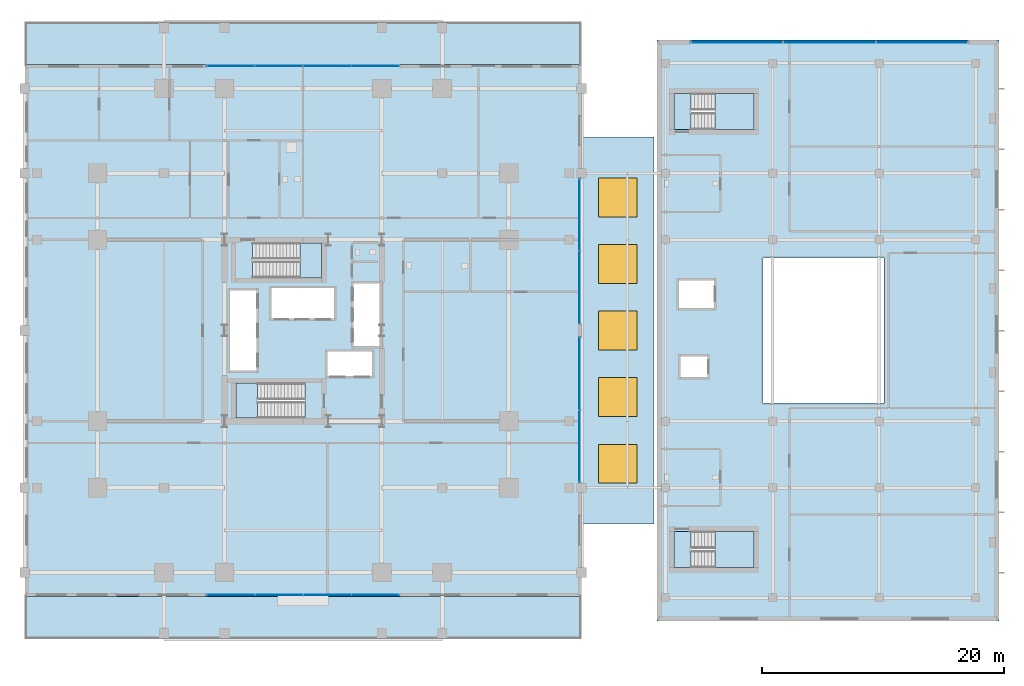
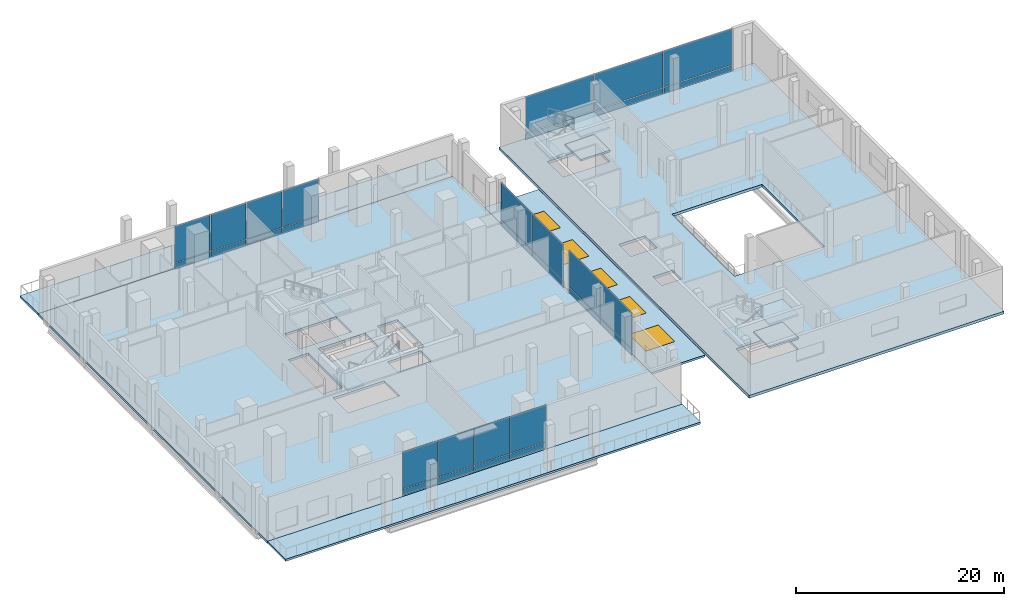
# One storey, part 24 of 36: 30 plates, 13 slabs, 5 windows, 5 openings, 9 elements without a shape of their own.
"""IFC4 building model written with IfcOpenShell, lengths in metres."""

from ifc_helpers import new_model, si_unit, direction, frame, origin, origin_2d, place, context, subcontext, project, spatial, polyline, rectangle, outline, extrude, material, layer, layer_set, type_object, element, fill, aggregate, save


model = new_model("IFC4")

# Units and contexts
model_context = context("Model", 3, precision=1e-05, world=origin(), true_north=direction((0.0, 1.0)))
body_context = subcontext(model_context, "Body", "Model", "MODEL_VIEW")
ifc_project = project(units=[si_unit("LENGTHUNIT", "METRE"), si_unit("AREAUNIT", "SQUARE_METRE"), si_unit("VOLUMEUNIT", "CUBIC_METRE"), si_unit("PLANEANGLEUNIT", "RADIAN"), si_unit("MASSUNIT", "GRAM", prefix="KILO")], contexts=[model_context])

# Site, building, storey
site_placement = place(None, origin())
site = spatial("IfcSite", under=ifc_project, at=site_placement, CompositionType="ELEMENT")
building_placement = place(site_placement, origin())
building = spatial("IfcBuilding", under=site, at=building_placement, Name="Barlavira Tower and Art Museum", CompositionType="ELEMENT")
storey_placement = place(building_placement, frame((0.0, 0.0, 11.39990234375)))
storey = spatial("IfcBuildingStorey", under=building, at=storey_placement, Name="L02", CompositionType="ELEMENT", Elevation=11.39990234375)

# Slabs
ifc_material_1 = material(Name="Concrete C50", Category="concrete")
ifc_layer_1 = layer(ifc_material_1, 0.239990234375, Name="Concrete C50")
ifc_layer_set_1 = layer_set([ifc_layer_1], Name="Concrete C50")
slab_type_1 = type_object("IfcSlabType", Name="Cascading Garden and Lookout Terrace Slab 240 Concrete C50", PredefinedType="FLOOR", material=ifc_layer_set_1)
slab_1_placement = place(storey_placement, frame((0.0, 0.0, -0.239990234375)))
element("IfcSlab", 1, at=slab_1_placement, inside=storey, type_object=slab_type_1, Name="L02 South Cascading Garden Terrace Slab", PredefinedType="FLOOR", context=body_context, shape_type="SweptSolid", body=[
    extrude(outline(polyline([(-23.0, -25.5), (23.0, -25.5), (23.0, -22.0), (-23.0, -22.0), (-23.0, -25.5)])), origin(), (0.0, 0.0, 1.0), 0.239990234375),
])
slab_2_placement = place(storey_placement, frame((0.0, 0.0, -0.239990234375)))
element("IfcSlab", 2, at=slab_2_placement, inside=storey, type_object=slab_type_1, Name="L02 North Cascading Garden Terrace Slab", PredefinedType="FLOOR", context=body_context, shape_type="SweptSolid", body=[
    extrude(outline(polyline([(-23.0, 22.0), (23.0, 22.0), (23.0, 25.5), (-23.0, 25.5), (-23.0, 22.0)])), origin(), (0.0, 0.0, 1.0), 0.239990234375),
])

# Slab, openings, windows
ifc_material_2 = material(Name="Concrete C40", Category="concrete")
ifc_layer_2 = layer(ifc_material_2, 0.22998046875, Name="Concrete C40")
ifc_layer_set_2 = layer_set([ifc_layer_2], Name="Concrete C40")
slab_type_2 = type_object("IfcSlabType", Name="Covered Arcade Skylight Roof Slab 230 Concrete C40", PredefinedType="ROOF", material=ifc_layer_set_2)
slab_3_placement = place(storey_placement, frame((0.0, 0.0, -0.22998046875)))
slab_3 = element("IfcSlab", 3, at=slab_3_placement, inside=storey, type_object=slab_type_2, Name="L02 Covered Arcade Roof Slab", PredefinedType="ROOF", context=body_context, shape_type="SweptSolid", body=[
    extrude(outline(polyline([(23.0, -16.0), (29.0, -16.0), (29.0, 16.0), (23.0, 16.0), (23.0, -16.0)])), origin(), (0.0, 0.0, 1.0), 0.22998046875),
])
opening_1_placement = place(slab_3_placement, frame((26.0, -11.0, -0.010009765625)))
opening_1 = element("IfcOpeningElement", 4, at=opening_1_placement, cuts=slab_3, Name="Opening SKY-1", PredefinedType="OPENING", context=body_context, shape_type="SweptSolid", body=[
    extrude(rectangle(XDim=3.199951171875, YDim=3.199951171875, at=origin_2d()), origin(), (0.0, 0.0, 1.0), 0.25),
])
opening_2_placement = place(slab_3_placement, frame((26.0, -5.5, -0.010009765625)))
opening_2 = element("IfcOpeningElement", 5, at=opening_2_placement, cuts=slab_3, Name="Opening SKY-1", PredefinedType="OPENING", context=body_context, shape_type="SweptSolid", body=[
    extrude(rectangle(XDim=3.199951171875, YDim=3.199951171875, at=origin_2d()), origin(), (0.0, 0.0, 1.0), 0.25),
])
opening_3_placement = place(slab_3_placement, frame((26.0, 0.0, -0.010009765625)))
opening_3 = element("IfcOpeningElement", 6, at=opening_3_placement, cuts=slab_3, Name="Opening SKY-1", PredefinedType="OPENING", context=body_context, shape_type="SweptSolid", body=[
    extrude(rectangle(XDim=3.199951171875, YDim=3.199951171875, at=origin_2d()), origin(), (0.0, 0.0, 1.0), 0.25),
])
opening_4_placement = place(slab_3_placement, frame((26.0, 5.5, -0.010009765625)))
opening_4 = element("IfcOpeningElement", 7, at=opening_4_placement, cuts=slab_3, Name="Opening SKY-1", PredefinedType="OPENING", context=body_context, shape_type="SweptSolid", body=[
    extrude(rectangle(XDim=3.199951171875, YDim=3.199951171875, at=origin_2d()), origin(), (0.0, 0.0, 1.0), 0.25),
])
opening_5_placement = place(slab_3_placement, frame((26.0, 11.0, -0.010009765625)))
opening_5 = element("IfcOpeningElement", 8, at=opening_5_placement, cuts=slab_3, Name="Opening SKY-1", PredefinedType="OPENING", context=body_context, shape_type="SweptSolid", body=[
    extrude(rectangle(XDim=3.199951171875, YDim=3.199951171875, at=origin_2d()), origin(), (0.0, 0.0, 1.0), 0.25),
])
ifc_material_3 = material(Name="Low-iron coastal laminated glass", Category="glass")
window_type = type_object("IfcWindowType", Name="Covered Arcade Laminated Roof Skylight 3200x3200", PartitioningType="SINGLE_PANEL", PredefinedType="SKYLIGHT", material=ifc_material_3)
window_1_placement = place(opening_1_placement, frame((0.0, 0.0, 0.18994140625)))
window_1 = element("IfcWindow", 9, at=window_1_placement, inside=storey, type_object=window_type, Name="Covered Arcade Laminated Skylight 1", OverallHeight=3.199951171875, OverallWidth=3.199951171875, PartitioningType="SINGLE_PANEL", PredefinedType="SKYLIGHT", context=body_context, shape_type="SweptSolid", body=[
    extrude(rectangle(XDim=3.199951171875, YDim=3.199951171875, at=origin_2d()), origin(), (0.0, 0.0, 1.0), 0.050048828125),
])
fill(opening_1, window_1)
window_2_placement = place(opening_2_placement, frame((0.0, 0.0, 0.18994140625)))
window_2 = element("IfcWindow", 10, at=window_2_placement, inside=storey, type_object=window_type, Name="Covered Arcade Laminated Skylight 2", OverallHeight=3.199951171875, OverallWidth=3.199951171875, PartitioningType="SINGLE_PANEL", PredefinedType="SKYLIGHT", context=body_context, shape_type="SweptSolid", body=[
    extrude(rectangle(XDim=3.199951171875, YDim=3.199951171875, at=origin_2d()), origin(), (0.0, 0.0, 1.0), 0.050048828125),
])
fill(opening_2, window_2)
window_3_placement = place(opening_3_placement, frame((0.0, 0.0, 0.18994140625)))
window_3 = element("IfcWindow", 11, at=window_3_placement, inside=storey, type_object=window_type, Name="Covered Arcade Laminated Skylight 3", OverallHeight=3.199951171875, OverallWidth=3.199951171875, PartitioningType="SINGLE_PANEL", PredefinedType="SKYLIGHT", context=body_context, shape_type="SweptSolid", body=[
    extrude(rectangle(XDim=3.199951171875, YDim=3.199951171875, at=origin_2d()), origin(), (0.0, 0.0, 1.0), 0.050048828125),
])
fill(opening_3, window_3)
window_4_placement = place(opening_4_placement, frame((0.0, 0.0, 0.18994140625)))
window_4 = element("IfcWindow", 12, at=window_4_placement, inside=storey, type_object=window_type, Name="Covered Arcade Laminated Skylight 4", OverallHeight=3.199951171875, OverallWidth=3.199951171875, PartitioningType="SINGLE_PANEL", PredefinedType="SKYLIGHT", context=body_context, shape_type="SweptSolid", body=[
    extrude(rectangle(XDim=3.199951171875, YDim=3.199951171875, at=origin_2d()), origin(), (0.0, 0.0, 1.0), 0.050048828125),
])
fill(opening_4, window_4)
window_5_placement = place(opening_5_placement, frame((0.0, 0.0, 0.18994140625)))
window_5 = element("IfcWindow", 13, at=window_5_placement, inside=storey, type_object=window_type, Name="Covered Arcade Laminated Skylight 5", OverallHeight=3.199951171875, OverallWidth=3.199951171875, PartitioningType="SINGLE_PANEL", PredefinedType="SKYLIGHT", context=body_context, shape_type="SweptSolid", body=[
    extrude(rectangle(XDim=3.199951171875, YDim=3.199951171875, at=origin_2d()), origin(), (0.0, 0.0, 1.0), 0.050048828125),
])
fill(opening_5, window_5)

# Curtain wall, plates
ifc_layer_3 = layer(ifc_material_3, 0.219970703125, Name="Low-iron coastal laminated glass")
ifc_layer_set_3 = layer_set([ifc_layer_3], Name="Low-iron coastal laminated glass")
curtain_wall_type_1 = type_object("IfcCurtainWallType", Name="Double-Height Podium Arcade Storefront Curtain Wall", PredefinedType="NOTDEFINED", material=ifc_layer_set_3)
curtain_wall_1_placement = place(storey_placement, origin())
curtain_wall_1 = element("IfcCurtainWall", 14, at=curtain_wall_1_placement, inside=storey, type_object=curtain_wall_type_1, Name="L02 Curtain Wall CW5-L02-ES", PredefinedType="NOTDEFINED")
ifc_material_4 = material(Name="Pale anodised aluminium", Category="aluminium")
ifc_layer_4 = layer(ifc_material_4, 0.044921875, Name="Pale anodised aluminium")
ifc_layer_set_4 = layer_set([ifc_layer_4], Name="Pale anodised aluminium")
plate_type_1 = type_object("IfcPlateType", Name="Curtain Wall Pale-Metal Spandrel Panel 45", PredefinedType="CURTAIN_PANEL", material=ifc_layer_set_4)
plate_1_placement = place(storey_placement, frame((22.85009765625, -9.56005859375, 0.0400390625), z_axis=(0.0, 0.0, 1.0), x_axis=(0.0, 1.0, 0.0)))
plate_1 = element("IfcPlate", 15, at=plate_1_placement, type_object=plate_type_1, Name="CW5-L02-ES Spandrel Panel 0", PredefinedType="CURTAIN_PANEL", context=body_context, shape_type="SweptSolid", body=[
    extrude(rectangle(XDim=5.93994140625, YDim=0.044921875, at=origin_2d()), origin(), (0.0, 0.0, 1.0), 0.669921875),
])
plate_2_placement = place(storey_placement, frame((22.85009765625, -3.52001953125, 0.0400390625), z_axis=(0.0, 0.0, 1.0), x_axis=(0.0, 1.0, 0.0)))
plate_2 = element("IfcPlate", 16, at=plate_2_placement, type_object=plate_type_1, Name="CW5-L02-ES Spandrel Panel 1", PredefinedType="CURTAIN_PANEL", context=body_context, shape_type="SweptSolid", body=[
    extrude(rectangle(XDim=5.93994140625, YDim=0.044921875, at=origin_2d()), origin(), (0.0, 0.0, 1.0), 0.669921875),
])

curtain_wall_2_placement = place(storey_placement, origin())
curtain_wall_2 = element("IfcCurtainWall", 17, at=curtain_wall_2_placement, inside=storey, type_object=curtain_wall_type_1, Name="L02 Curtain Wall CW5-L02-EN", PredefinedType="NOTDEFINED")
plate_3_placement = place(storey_placement, frame((22.85009765625, 3.52001953125, 0.0400390625), z_axis=(0.0, 0.0, 1.0), x_axis=(0.0, 1.0, 0.0)))
plate_3 = element("IfcPlate", 18, at=plate_3_placement, type_object=plate_type_1, Name="CW5-L02-EN Spandrel Panel 0", PredefinedType="CURTAIN_PANEL", context=body_context, shape_type="SweptSolid", body=[
    extrude(rectangle(XDim=5.93994140625, YDim=0.044921875, at=origin_2d()), origin(), (0.0, 0.0, 1.0), 0.669921875),
])
plate_4_placement = place(storey_placement, frame((22.85009765625, 9.56005859375, 0.0400390625), z_axis=(0.0, 0.0, 1.0), x_axis=(0.0, 1.0, 0.0)))
plate_4 = element("IfcPlate", 19, at=plate_4_placement, type_object=plate_type_1, Name="CW5-L02-EN Spandrel Panel 1", PredefinedType="CURTAIN_PANEL", context=body_context, shape_type="SweptSolid", body=[
    extrude(rectangle(XDim=5.93994140625, YDim=0.044921875, at=origin_2d()), origin(), (0.0, 0.0, 1.0), 0.669921875),
])

ifc_layer_5 = layer(ifc_material_3, 0.179931640625, Name="Low-iron coastal laminated glass")
ifc_layer_set_5 = layer_set([ifc_layer_5], Name="Low-iron coastal laminated glass")
curtain_wall_type_2 = type_object("IfcCurtainWallType", Name="Pale-Metal Unitised Curtain Wall Zone 1", PredefinedType="NOTDEFINED", material=ifc_layer_set_5)
curtain_wall_3_placement = place(storey_placement, origin())
curtain_wall_3 = element("IfcCurtainWall", 20, at=curtain_wall_3_placement, inside=storey, type_object=curtain_wall_type_2, Name="L02 Curtain Wall CW1-L02-S", PredefinedType="NOTDEFINED")
plate_5_placement = place(storey_placement, frame((-6.0, -21.85009765625, 0.0400390625), z_axis=(0.0, 0.0, 1.0), x_axis=(1.0, 0.0, 0.0)))
plate_5 = element("IfcPlate", 21, at=plate_5_placement, type_object=plate_type_1, Name="CW1-L02-S Spandrel Panel 0", PredefinedType="CURTAIN_PANEL", context=body_context, shape_type="SweptSolid", body=[
    extrude(rectangle(XDim=3.89990234375, YDim=0.044921875, at=origin_2d()), origin(), (0.0, 0.0, 1.0), 0.669921875),
])
plate_6_placement = place(storey_placement, frame((-2.0, -21.85009765625, 0.0400390625), z_axis=(0.0, 0.0, 1.0), x_axis=(1.0, 0.0, 0.0)))
plate_6 = element("IfcPlate", 22, at=plate_6_placement, type_object=plate_type_1, Name="CW1-L02-S Spandrel Panel 1", PredefinedType="CURTAIN_PANEL", context=body_context, shape_type="SweptSolid", body=[
    extrude(rectangle(XDim=3.89990234375, YDim=0.044921875, at=origin_2d()), origin(), (0.0, 0.0, 1.0), 0.669921875),
])
plate_7_placement = place(storey_placement, frame((2.0, -21.85009765625, 0.0400390625), z_axis=(0.0, 0.0, 1.0), x_axis=(1.0, 0.0, 0.0)))
plate_7 = element("IfcPlate", 23, at=plate_7_placement, type_object=plate_type_1, Name="CW1-L02-S Spandrel Panel 2", PredefinedType="CURTAIN_PANEL", context=body_context, shape_type="SweptSolid", body=[
    extrude(rectangle(XDim=3.89990234375, YDim=0.044921875, at=origin_2d()), origin(), (0.0, 0.0, 1.0), 0.669921875),
])
plate_8_placement = place(storey_placement, frame((6.0, -21.85009765625, 0.0400390625), z_axis=(0.0, 0.0, 1.0), x_axis=(1.0, 0.0, 0.0)))
plate_8 = element("IfcPlate", 24, at=plate_8_placement, type_object=plate_type_1, Name="CW1-L02-S Spandrel Panel 3", PredefinedType="CURTAIN_PANEL", context=body_context, shape_type="SweptSolid", body=[
    extrude(rectangle(XDim=3.89990234375, YDim=0.044921875, at=origin_2d()), origin(), (0.0, 0.0, 1.0), 0.669921875),
])

curtain_wall_4_placement = place(storey_placement, origin())
curtain_wall_4 = element("IfcCurtainWall", 25, at=curtain_wall_4_placement, inside=storey, type_object=curtain_wall_type_2, Name="L02 Curtain Wall CW1-L02-N", PredefinedType="NOTDEFINED")
plate_9_placement = place(storey_placement, frame((6.0, 21.85009765625, 0.0400390625), z_axis=(0.0, 0.0, 1.0), x_axis=(-1.0, 0.0, 0.0)))
plate_9 = element("IfcPlate", 26, at=plate_9_placement, type_object=plate_type_1, Name="CW1-L02-N Spandrel Panel 0", PredefinedType="CURTAIN_PANEL", context=body_context, shape_type="SweptSolid", body=[
    extrude(rectangle(XDim=3.89990234375, YDim=0.044921875, at=origin_2d()), origin(), (0.0, 0.0, 1.0), 0.669921875),
])
plate_10_placement = place(storey_placement, frame((2.0, 21.85009765625, 0.0400390625), z_axis=(0.0, 0.0, 1.0), x_axis=(-1.0, 0.0, 0.0)))
plate_10 = element("IfcPlate", 27, at=plate_10_placement, type_object=plate_type_1, Name="CW1-L02-N Spandrel Panel 1", PredefinedType="CURTAIN_PANEL", context=body_context, shape_type="SweptSolid", body=[
    extrude(rectangle(XDim=3.89990234375, YDim=0.044921875, at=origin_2d()), origin(), (0.0, 0.0, 1.0), 0.669921875),
])
plate_11_placement = place(storey_placement, frame((-2.0, 21.85009765625, 0.0400390625), z_axis=(0.0, 0.0, 1.0), x_axis=(-1.0, 0.0, 0.0)))
plate_11 = element("IfcPlate", 28, at=plate_11_placement, type_object=plate_type_1, Name="CW1-L02-N Spandrel Panel 2", PredefinedType="CURTAIN_PANEL", context=body_context, shape_type="SweptSolid", body=[
    extrude(rectangle(XDim=3.89990234375, YDim=0.044921875, at=origin_2d()), origin(), (0.0, 0.0, 1.0), 0.669921875),
])
plate_12_placement = place(storey_placement, frame((-6.0, 21.85009765625, 0.0400390625), z_axis=(0.0, 0.0, 1.0), x_axis=(-1.0, 0.0, 0.0)))
plate_12 = element("IfcPlate", 29, at=plate_12_placement, type_object=plate_type_1, Name="CW1-L02-N Spandrel Panel 3", PredefinedType="CURTAIN_PANEL", context=body_context, shape_type="SweptSolid", body=[
    extrude(rectangle(XDim=3.89990234375, YDim=0.044921875, at=origin_2d()), origin(), (0.0, 0.0, 1.0), 0.669921875),
])

ifc_layer_6 = layer(ifc_material_3, 0.199951171875, Name="Low-iron coastal laminated glass")
ifc_layer_set_6 = layer_set([ifc_layer_6], Name="Low-iron coastal laminated glass")
curtain_wall_type_3 = type_object("IfcCurtainWallType", Name="Coastal Art Museum North-Light Curtain Wall", PredefinedType="NOTDEFINED", material=ifc_layer_set_6)
curtain_wall_5_placement = place(storey_placement, origin())
curtain_wall_5 = element("IfcCurtainWall", 30, at=curtain_wall_5_placement, inside=storey, type_object=curtain_wall_type_3, Name="L02 Curtain Wall CW6-MUS-L02-N", PredefinedType="NOTDEFINED")
plate_13_placement = place(storey_placement, frame((51.166748046875, 23.824951171875, 0.0400390625), z_axis=(0.0, 0.0, 1.0), x_axis=(-1.0, 0.0, 0.0)))
plate_13 = element("IfcPlate", 31, at=plate_13_placement, type_object=plate_type_1, Name="CW6-MUS-L02-N Spandrel Panel 0", PredefinedType="CURTAIN_PANEL", context=body_context, shape_type="SweptSolid", body=[
    extrude(rectangle(XDim=7.566650390625, YDim=0.044921875, at=origin_2d()), origin(), (0.0, 0.0, 1.0), 0.669921875),
])
plate_14_placement = place(storey_placement, frame((43.5, 23.824951171875, 0.0400390625), z_axis=(0.0, 0.0, 1.0), x_axis=(-1.0, 0.0, 0.0)))
plate_14 = element("IfcPlate", 32, at=plate_14_placement, type_object=plate_type_1, Name="CW6-MUS-L02-N Spandrel Panel 1", PredefinedType="CURTAIN_PANEL", context=body_context, shape_type="SweptSolid", body=[
    extrude(rectangle(XDim=7.566650390625, YDim=0.044921875, at=origin_2d()), origin(), (0.0, 0.0, 1.0), 0.669921875),
])
plate_15_placement = place(storey_placement, frame((35.833251953125, 23.824951171875, 0.0400390625), z_axis=(0.0, 0.0, 1.0), x_axis=(-1.0, 0.0, 0.0)))
plate_15 = element("IfcPlate", 33, at=plate_15_placement, type_object=plate_type_1, Name="CW6-MUS-L02-N Spandrel Panel 2", PredefinedType="CURTAIN_PANEL", context=body_context, shape_type="SweptSolid", body=[
    extrude(rectangle(XDim=7.566650390625, YDim=0.044921875, at=origin_2d()), origin(), (0.0, 0.0, 1.0), 0.669921875),
])

# Plate
ifc_layer_7 = layer(ifc_material_3, 0.028076171875, Name="Low-iron coastal laminated glass")
ifc_layer_set_7 = layer_set([ifc_layer_7], Name="Low-iron coastal laminated glass")
plate_type_2 = type_object("IfcPlateType", Name="Curtain Wall Vision Glazing Panel 28", PredefinedType="CURTAIN_PANEL", material=ifc_layer_set_7)
plate_16_placement = place(storey_placement, frame((22.85009765625, -9.56005859375, 0.7900390625), z_axis=(0.0, 0.0, 1.0), x_axis=(0.0, 1.0, 0.0)))
plate_16 = element("IfcPlate", 34, at=plate_16_placement, type_object=plate_type_2, Name="CW5-L02-ES Vision Glass Panel 0", PredefinedType="CURTAIN_PANEL", context=body_context, shape_type="SweptSolid", body=[
    extrude(rectangle(XDim=5.93994140625, YDim=0.028076171875, at=origin_2d()), origin(), (0.0, 0.0, 1.0), 4.2900390625),
])

plate_17_placement = place(storey_placement, frame((22.85009765625, -3.52001953125, 0.7900390625), z_axis=(0.0, 0.0, 1.0), x_axis=(0.0, 1.0, 0.0)))
plate_17 = element("IfcPlate", 35, at=plate_17_placement, type_object=plate_type_2, Name="CW5-L02-ES Vision Glass Panel 1", PredefinedType="CURTAIN_PANEL", context=body_context, shape_type="SweptSolid", body=[
    extrude(rectangle(XDim=5.93994140625, YDim=0.028076171875, at=origin_2d()), origin(), (0.0, 0.0, 1.0), 4.2900390625),
])

aggregate(curtain_wall_1, [plate_1, plate_16, plate_2, plate_17])

plate_18_placement = place(storey_placement, frame((22.85009765625, 3.52001953125, 0.7900390625), z_axis=(0.0, 0.0, 1.0), x_axis=(0.0, 1.0, 0.0)))
plate_18 = element("IfcPlate", 36, at=plate_18_placement, type_object=plate_type_2, Name="CW5-L02-EN Vision Glass Panel 0", PredefinedType="CURTAIN_PANEL", context=body_context, shape_type="SweptSolid", body=[
    extrude(rectangle(XDim=5.93994140625, YDim=0.028076171875, at=origin_2d()), origin(), (0.0, 0.0, 1.0), 4.2900390625),
])

plate_19_placement = place(storey_placement, frame((22.85009765625, 9.56005859375, 0.7900390625), z_axis=(0.0, 0.0, 1.0), x_axis=(0.0, 1.0, 0.0)))
plate_19 = element("IfcPlate", 37, at=plate_19_placement, type_object=plate_type_2, Name="CW5-L02-EN Vision Glass Panel 1", PredefinedType="CURTAIN_PANEL", context=body_context, shape_type="SweptSolid", body=[
    extrude(rectangle(XDim=5.93994140625, YDim=0.028076171875, at=origin_2d()), origin(), (0.0, 0.0, 1.0), 4.2900390625),
])

aggregate(curtain_wall_2, [plate_3, plate_18, plate_4, plate_19])

plate_20_placement = place(storey_placement, frame((-6.0, -21.85009765625, 0.7900390625), z_axis=(0.0, 0.0, 1.0), x_axis=(1.0, 0.0, 0.0)))
plate_20 = element("IfcPlate", 38, at=plate_20_placement, type_object=plate_type_2, Name="CW1-L02-S Vision Glass Panel 0", PredefinedType="CURTAIN_PANEL", context=body_context, shape_type="SweptSolid", body=[
    extrude(rectangle(XDim=3.89990234375, YDim=0.028076171875, at=origin_2d()), origin(), (0.0, 0.0, 1.0), 4.2900390625),
])

plate_21_placement = place(storey_placement, frame((-2.0, -21.85009765625, 0.7900390625), z_axis=(0.0, 0.0, 1.0), x_axis=(1.0, 0.0, 0.0)))
plate_21 = element("IfcPlate", 39, at=plate_21_placement, type_object=plate_type_2, Name="CW1-L02-S Vision Glass Panel 1", PredefinedType="CURTAIN_PANEL", context=body_context, shape_type="SweptSolid", body=[
    extrude(rectangle(XDim=3.89990234375, YDim=0.028076171875, at=origin_2d()), origin(), (0.0, 0.0, 1.0), 4.2900390625),
])

plate_22_placement = place(storey_placement, frame((2.0, -21.85009765625, 0.7900390625), z_axis=(0.0, 0.0, 1.0), x_axis=(1.0, 0.0, 0.0)))
plate_22 = element("IfcPlate", 40, at=plate_22_placement, type_object=plate_type_2, Name="CW1-L02-S Vision Glass Panel 2", PredefinedType="CURTAIN_PANEL", context=body_context, shape_type="SweptSolid", body=[
    extrude(rectangle(XDim=3.89990234375, YDim=0.028076171875, at=origin_2d()), origin(), (0.0, 0.0, 1.0), 4.2900390625),
])

plate_23_placement = place(storey_placement, frame((6.0, -21.85009765625, 0.7900390625), z_axis=(0.0, 0.0, 1.0), x_axis=(1.0, 0.0, 0.0)))
plate_23 = element("IfcPlate", 41, at=plate_23_placement, type_object=plate_type_2, Name="CW1-L02-S Vision Glass Panel 3", PredefinedType="CURTAIN_PANEL", context=body_context, shape_type="SweptSolid", body=[
    extrude(rectangle(XDim=3.89990234375, YDim=0.028076171875, at=origin_2d()), origin(), (0.0, 0.0, 1.0), 4.2900390625),
])

aggregate(curtain_wall_3, [plate_5, plate_20, plate_6, plate_21, plate_7, plate_22, plate_8, plate_23])

plate_24_placement = place(storey_placement, frame((6.0, 21.85009765625, 0.7900390625), z_axis=(0.0, 0.0, 1.0), x_axis=(-1.0, 0.0, 0.0)))
plate_24 = element("IfcPlate", 42, at=plate_24_placement, type_object=plate_type_2, Name="CW1-L02-N Vision Glass Panel 0", PredefinedType="CURTAIN_PANEL", context=body_context, shape_type="SweptSolid", body=[
    extrude(rectangle(XDim=3.89990234375, YDim=0.028076171875, at=origin_2d()), origin(), (0.0, 0.0, 1.0), 4.2900390625),
])

plate_25_placement = place(storey_placement, frame((2.0, 21.85009765625, 0.7900390625), z_axis=(0.0, 0.0, 1.0), x_axis=(-1.0, 0.0, 0.0)))
plate_25 = element("IfcPlate", 43, at=plate_25_placement, type_object=plate_type_2, Name="CW1-L02-N Vision Glass Panel 1", PredefinedType="CURTAIN_PANEL", context=body_context, shape_type="SweptSolid", body=[
    extrude(rectangle(XDim=3.89990234375, YDim=0.028076171875, at=origin_2d()), origin(), (0.0, 0.0, 1.0), 4.2900390625),
])

plate_26_placement = place(storey_placement, frame((-2.0, 21.85009765625, 0.7900390625), z_axis=(0.0, 0.0, 1.0), x_axis=(-1.0, 0.0, 0.0)))
plate_26 = element("IfcPlate", 44, at=plate_26_placement, type_object=plate_type_2, Name="CW1-L02-N Vision Glass Panel 2", PredefinedType="CURTAIN_PANEL", context=body_context, shape_type="SweptSolid", body=[
    extrude(rectangle(XDim=3.89990234375, YDim=0.028076171875, at=origin_2d()), origin(), (0.0, 0.0, 1.0), 4.2900390625),
])

plate_27_placement = place(storey_placement, frame((-6.0, 21.85009765625, 0.7900390625), z_axis=(0.0, 0.0, 1.0), x_axis=(-1.0, 0.0, 0.0)))
plate_27 = element("IfcPlate", 45, at=plate_27_placement, type_object=plate_type_2, Name="CW1-L02-N Vision Glass Panel 3", PredefinedType="CURTAIN_PANEL", context=body_context, shape_type="SweptSolid", body=[
    extrude(rectangle(XDim=3.89990234375, YDim=0.028076171875, at=origin_2d()), origin(), (0.0, 0.0, 1.0), 4.2900390625),
])

aggregate(curtain_wall_4, [plate_9, plate_24, plate_10, plate_25, plate_11, plate_26, plate_12, plate_27])

plate_28_placement = place(storey_placement, frame((51.166748046875, 23.824951171875, 0.7900390625), z_axis=(0.0, 0.0, 1.0), x_axis=(-1.0, 0.0, 0.0)))
plate_28 = element("IfcPlate", 46, at=plate_28_placement, type_object=plate_type_2, Name="CW6-MUS-L02-N Vision Glass Panel 0", PredefinedType="CURTAIN_PANEL", context=body_context, shape_type="SweptSolid", body=[
    extrude(rectangle(XDim=7.566650390625, YDim=0.028076171875, at=origin_2d()), origin(), (0.0, 0.0, 1.0), 4.25),
])

plate_29_placement = place(storey_placement, frame((43.5, 23.824951171875, 0.7900390625), z_axis=(0.0, 0.0, 1.0), x_axis=(-1.0, 0.0, 0.0)))
plate_29 = element("IfcPlate", 47, at=plate_29_placement, type_object=plate_type_2, Name="CW6-MUS-L02-N Vision Glass Panel 1", PredefinedType="CURTAIN_PANEL", context=body_context, shape_type="SweptSolid", body=[
    extrude(rectangle(XDim=7.566650390625, YDim=0.028076171875, at=origin_2d()), origin(), (0.0, 0.0, 1.0), 4.25),
])

plate_30_placement = place(storey_placement, frame((35.833251953125, 23.824951171875, 0.7900390625), z_axis=(0.0, 0.0, 1.0), x_axis=(-1.0, 0.0, 0.0)))
plate_30 = element("IfcPlate", 48, at=plate_30_placement, type_object=plate_type_2, Name="CW6-MUS-L02-N Vision Glass Panel 2", PredefinedType="CURTAIN_PANEL", context=body_context, shape_type="SweptSolid", body=[
    extrude(rectangle(XDim=7.566650390625, YDim=0.028076171875, at=origin_2d()), origin(), (0.0, 0.0, 1.0), 4.25),
])

aggregate(curtain_wall_5, [plate_13, plate_28, plate_14, plate_29, plate_15, plate_30])

# Slab
ifc_layer_8 = layer(ifc_material_1, 0.320068359375, Name="Concrete C50")
ifc_layer_set_8 = layer_set([ifc_layer_8], Name="Concrete C50")
slab_type_3 = type_object("IfcSlabType", Name="Museum Exhibition Gallery Slab 320 Concrete C50", PredefinedType="FLOOR", material=ifc_layer_set_8)
slab_4_placement = place(storey_placement, frame((0.0, 0.0, -0.31982421875)))
element("IfcSlab", 49, at=slab_4_placement, inside=storey, type_object=slab_type_3, Name="L02 Coastal Art Museum Floor Slab", PredefinedType="FLOOR", context=body_context, shape_type="SweptSolid", body=[
    extrude(outline(polyline([(29.25, -24.0), (57.5, -24.0), (57.5, 24.0), (29.25, 24.0), (29.25, -24.0)]), holes=[polyline([(32.070068359375, -19.60009765625), (37.25, -19.60009765625), (37.25, -16.60009765625), (32.070068359375, -16.60009765625), (32.070068359375, -19.60009765625)]), polyline([(32.070068359375, 16.60009765625), (37.25, 16.60009765625), (37.25, 19.60009765625), (32.070068359375, 19.60009765625), (32.070068359375, 16.60009765625)]), polyline([(31.199951171875, -3.85009765625), (33.39990234375, -3.85009765625), (33.39990234375, -2.14990234375), (31.199951171875, -2.14990234375), (31.199951171875, -3.85009765625)]), polyline([(31.050048828125, 1.85009765625), (33.949951171875, 1.85009765625), (33.949951171875, 4.14990234375), (31.050048828125, 4.14990234375), (31.050048828125, 1.85009765625)]), polyline([(38.0, -6.0), (48.0, -6.0), (48.0, 6.0), (38.0, 6.0), (38.0, -6.0)])]), origin(), (0.0, 0.0, 1.0), 0.31982421875),
])

# Stair, slabs
ifc_material_5 = material(Name="Concrete C45", Category="concrete")
stair_type_1 = type_object("IfcStairType", Name="Museum North Dog-Leg Exit Stair Assembly Concrete C45", PredefinedType="TWO_QUARTER_TURN_STAIR", material=ifc_material_5)
stair_1_placement = place(storey_placement, origin())
stair_1 = element("IfcStair", 50, at=stair_1_placement, inside=storey, type_object=stair_type_1, Name="L02 Museum North Exit Stair ST-M2", PredefinedType="TWO_QUARTER_TURN_STAIR")
ifc_layer_9 = layer(ifc_material_5, 0.199951171875, Name="Concrete C45")
ifc_layer_set_9 = layer_set([ifc_layer_9], Name="Concrete C45")
slab_type_4 = type_object("IfcSlabType", Name="Museum North Dog-Leg Exit Stair Half-Landing Slab 200 Concrete C45", PredefinedType="LANDING", material=ifc_layer_set_9)
slab_5_placement = place(storey_placement, frame((0.0, 0.0, 1.150146484375)))
slab_5 = element("IfcSlab", 51, at=slab_5_placement, type_object=slab_type_4, Name="ST-M2 landing 1", PredefinedType="LANDING", context=body_context, shape_type="SweptSolid", body=[
    extrude(outline(polyline([(34.030029296875, 16.60009765625), (37.25, 16.60009765625), (37.25, 19.60009765625), (34.030029296875, 19.60009765625), (34.030029296875, 16.60009765625)])), origin(), (0.0, 0.0, 1.0), 0.199951171875),
])
slab_6_placement = place(storey_placement, frame((0.0, 0.0, 2.5)))
slab_6 = element("IfcSlab", 52, at=slab_6_placement, type_object=slab_type_4, Name="ST-M2 landing 2", PredefinedType="LANDING", context=body_context, shape_type="SweptSolid", body=[
    extrude(outline(polyline([(30.64990234375, 16.60009765625), (32.070068359375, 16.60009765625), (32.070068359375, 19.60009765625), (30.64990234375, 19.60009765625), (30.64990234375, 16.60009765625)])), origin(), (0.0, 0.0, 1.0), 0.2001953125),
])
slab_7_placement = place(storey_placement, frame((0.0, 0.0, 3.85009765625)))
slab_7 = element("IfcSlab", 53, at=slab_7_placement, type_object=slab_type_4, Name="ST-M2 landing 3", PredefinedType="LANDING", context=body_context, shape_type="SweptSolid", body=[
    extrude(outline(polyline([(34.030029296875, 16.60009765625), (37.25, 16.60009765625), (37.25, 19.60009765625), (34.030029296875, 19.60009765625), (34.030029296875, 16.60009765625)])), origin(), (0.0, 0.0, 1.0), 0.199951171875),
])
aggregate(stair_1, [slab_5, slab_6, slab_7])

stair_type_2 = type_object("IfcStairType", Name="Museum South Dog-Leg Exit Stair Assembly Concrete C45", PredefinedType="TWO_QUARTER_TURN_STAIR", material=ifc_material_5)
stair_2_placement = place(storey_placement, origin())
stair_2 = element("IfcStair", 54, at=stair_2_placement, inside=storey, type_object=stair_type_2, Name="L02 Museum South Exit Stair ST-M1", PredefinedType="TWO_QUARTER_TURN_STAIR")
ifc_layer_10 = layer(ifc_material_5, 0.199951171875, Name="Concrete C45")
ifc_layer_set_10 = layer_set([ifc_layer_10], Name="Concrete C45")
slab_type_5 = type_object("IfcSlabType", Name="Museum South Dog-Leg Exit Stair Half-Landing Slab 200 Concrete C45", PredefinedType="LANDING", material=ifc_layer_set_10)
slab_8_placement = place(storey_placement, frame((0.0, 0.0, 1.150146484375)))
slab_8 = element("IfcSlab", 55, at=slab_8_placement, type_object=slab_type_5, Name="ST-M1 landing 1", PredefinedType="LANDING", context=body_context, shape_type="SweptSolid", body=[
    extrude(outline(polyline([(34.030029296875, -19.60009765625), (37.25, -19.60009765625), (37.25, -16.60009765625), (34.030029296875, -16.60009765625), (34.030029296875, -19.60009765625)])), origin(), (0.0, 0.0, 1.0), 0.199951171875),
])
slab_9_placement = place(storey_placement, frame((0.0, 0.0, 2.5)))
slab_9 = element("IfcSlab", 56, at=slab_9_placement, type_object=slab_type_5, Name="ST-M1 landing 2", PredefinedType="LANDING", context=body_context, shape_type="SweptSolid", body=[
    extrude(outline(polyline([(30.64990234375, -19.60009765625), (32.070068359375, -19.60009765625), (32.070068359375, -16.60009765625), (30.64990234375, -16.60009765625), (30.64990234375, -19.60009765625)])), origin(), (0.0, 0.0, 1.0), 0.2001953125),
])
slab_10_placement = place(storey_placement, frame((0.0, 0.0, 3.85009765625)))
slab_10 = element("IfcSlab", 57, at=slab_10_placement, type_object=slab_type_5, Name="ST-M1 landing 3", PredefinedType="LANDING", context=body_context, shape_type="SweptSolid", body=[
    extrude(outline(polyline([(34.030029296875, -19.60009765625), (37.25, -19.60009765625), (37.25, -16.60009765625), (34.030029296875, -16.60009765625), (34.030029296875, -19.60009765625)])), origin(), (0.0, 0.0, 1.0), 0.199951171875),
])
aggregate(stair_2, [slab_8, slab_9, slab_10])

# Slab
ifc_layer_11 = layer(ifc_material_1, 0.280029296875, Name="Concrete C50")
ifc_layer_set_11 = layer_set([ifc_layer_11], Name="Concrete C50")
slab_type_6 = type_object("IfcSlabType", Name="Podium Floor Slab 280 Concrete C50", PredefinedType="FLOOR", material=ifc_layer_set_11)
slab_11_placement = place(storey_placement, frame((0.0, 0.0, -0.27978515625)))
element("IfcSlab", 58, at=slab_11_placement, inside=storey, type_object=slab_type_6, Name="L02 Tower Podium Indoor Floor Slab", PredefinedType="FLOOR", context=body_context, shape_type="SweptSolid", body=[
    extrude(outline(polyline([(-23.0, -22.0), (23.0, -22.0), (23.0, 22.0), (-23.0, 22.0), (-23.0, -22.0)]), holes=[polyline([(0.14990234375, -4.35009765625), (-5.550048828125, -4.35009765625), (-5.550048828125, -7.25), (0.14990234375, -7.25), (0.14990234375, -4.35009765625)]), polyline([(-4.169921875, 4.35009765625), (1.530029296875, 4.35009765625), (1.530029296875, 7.25), (-4.169921875, 7.25), (-4.169921875, 4.35009765625)]), polyline([(-6.050048828125, -3.31005859375), (-3.85009765625, -3.31005859375), (-3.85009765625, 3.31005859375), (-6.050048828125, 3.31005859375), (-6.050048828125, -3.31005859375)]), polyline([(4.14990234375, -1.2900390625), (6.35009765625, -1.2900390625), (6.35009765625, 3.889892578125), (4.14990234375, 3.889892578125), (4.14990234375, -1.2900390625)]), polyline([(-2.6201171875, 1.0), (2.56005859375, 1.0), (2.56005859375, 3.5), (-2.6201171875, 3.5), (-2.6201171875, 1.0)]), polyline([(2.0, -3.75), (5.699951171875, -3.75), (5.699951171875, -1.75), (2.0, -1.75), (2.0, -3.75)])]), origin(), (0.0, 0.0, 1.0), 0.27978515625),
])

# Stair, slab
stair_type_3 = type_object("IfcStairType", Name="Tower North Dog-Leg Exit Stair Assembly Concrete C45", PredefinedType="TWO_QUARTER_TURN_STAIR", material=ifc_material_5)
stair_3_placement = place(storey_placement, origin())
stair_3 = element("IfcStair", 59, at=stair_3_placement, inside=storey, type_object=stair_type_3, Name="L02 Tower North Exit Stair ST-T2", PredefinedType="TWO_QUARTER_TURN_STAIR")
ifc_layer_12 = layer(ifc_material_5, 0.199951171875, Name="Concrete C45")
ifc_layer_set_12 = layer_set([ifc_layer_12], Name="Concrete C45")
slab_type_7 = type_object("IfcSlabType", Name="Tower North Dog-Leg Exit Stair Half-Landing Slab 200 Concrete C45", PredefinedType="LANDING", material=ifc_layer_set_12)
slab_12_placement = place(storey_placement, frame((0.0, 0.0, 2.5)))
slab_12 = element("IfcSlab", 60, at=slab_12_placement, type_object=slab_type_7, Name="ST-T2 landing 1", PredefinedType="LANDING", context=body_context, shape_type="SweptSolid", body=[
    extrude(outline(polyline([(-0.25, 4.35009765625), (1.530029296875, 4.35009765625), (1.530029296875, 7.25), (-0.25, 7.25), (-0.25, 4.35009765625)])), origin(), (0.0, 0.0, 1.0), 0.2001953125),
])
aggregate(stair_3, [slab_12])

stair_type_4 = type_object("IfcStairType", Name="Tower South Dog-Leg Exit Stair Assembly Concrete C45", PredefinedType="TWO_QUARTER_TURN_STAIR", material=ifc_material_5)
stair_4_placement = place(storey_placement, origin())
stair_4 = element("IfcStair", 61, at=stair_4_placement, inside=storey, type_object=stair_type_4, Name="L02 Tower South Exit Stair ST-T1", PredefinedType="TWO_QUARTER_TURN_STAIR")
ifc_layer_13 = layer(ifc_material_5, 0.199951171875, Name="Concrete C45")
ifc_layer_set_13 = layer_set([ifc_layer_13], Name="Concrete C45")
slab_type_8 = type_object("IfcSlabType", Name="Tower South Dog-Leg Exit Stair Half-Landing Slab 200 Concrete C45", PredefinedType="LANDING", material=ifc_layer_set_13)
slab_13_placement = place(storey_placement, frame((0.0, 0.0, 2.5)))
slab_13 = element("IfcSlab", 62, at=slab_13_placement, type_object=slab_type_8, Name="ST-T1 landing 1", PredefinedType="LANDING", context=body_context, shape_type="SweptSolid", body=[
    extrude(outline(polyline([(-3.77001953125, -4.35009765625), (-5.550048828125, -4.35009765625), (-5.550048828125, -7.25), (-3.77001953125, -7.25), (-3.77001953125, -4.35009765625)])), origin(), (0.0, 0.0, 1.0), 0.2001953125),
])
aggregate(stair_4, [slab_13])

save(model, "model.ifc")
